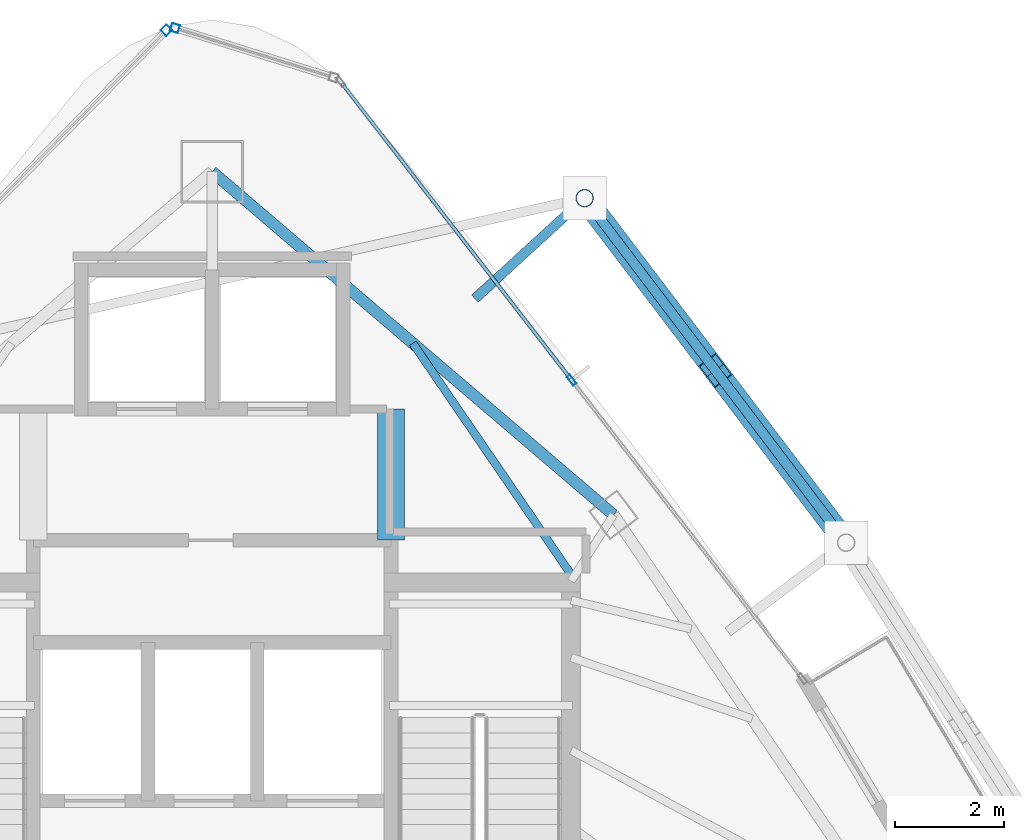
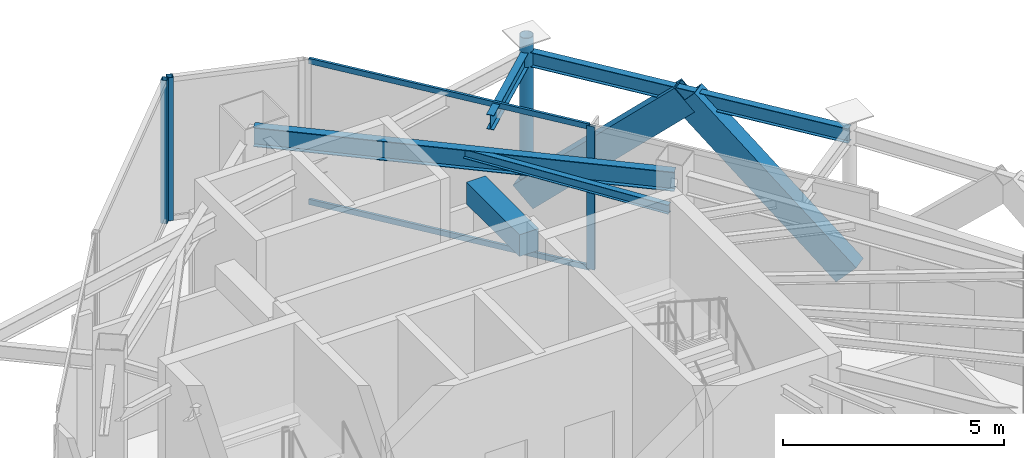
# One storey, part 17 of 22: 8 members, 5 beams, 3 elements without a shape of their own.
"""IFC4 building model written with IfcOpenShell, lengths in metres."""

import ifcopenshell
import ifcopenshell.guid

model = None  # the IFC model being written
_history = None  # IfcOwnerHistory: only IFC2X3 demands one
_inside = {}  # id of a spatial element -> (the spatial element, [elements in it])
_under = {}  # id of a project, library or spatial element -> (it, [spatial elements below it])
_declared = {}  # id of a project -> (the project, [libraries it declares])
_typed = {}  # id of a type object -> (the type object, [elements of that type])
_made_of = {}  # id of a material, layer set ... -> (it, [elements and type objects made of it])


def new_model(schema):
    """Start an empty IFC model of exactly this schema.

    Asked for "IFC4X3", IfcOpenShell would pick the latest addendum, in which some entities
    have other attributes; the version numbers below select the first issue.
    IFC2X3 requires an IfcOwnerHistory on every rooted entity: one is made here for all.
    """
    global model, _history
    if schema == "IFC4X3":
        model = ifcopenshell.file(schema_version=(4, 3, 0, 0))
    else:
        model = ifcopenshell.file(schema=schema)
    _inside.clear()
    _under.clear()
    _declared.clear()
    _typed.clear()
    _made_of.clear()
    _history = None
    if model.schema == "IFC2X3":
        org = make("IfcOrganization", Name="unknown")
        user = make(
            "IfcPersonAndOrganization",
            ThePerson=make("IfcPerson", FamilyName="unknown"),
            TheOrganization=org,
        )
        app = make(
            "IfcApplication",
            ApplicationDeveloper=org,
            Version="unknown",
            ApplicationFullName="unknown",
            ApplicationIdentifier="unknown",
        )
        _history = make(
            "IfcOwnerHistory",
            OwningUser=user,
            OwningApplication=app,
            ChangeAction="ADDED",
            CreationDate=0,
        )
    return model


def make(cls, **values):
    """One entity of the class cls with the attributes given. An attribute that is None is left unset."""
    return model.create_entity(
        cls, **{name: value for name, value in values.items() if value is not None}
    )


def rooted(cls, **values):
    """An entity with a GlobalId (a new one), such as an element, a storey or a relation."""
    return make(cls, GlobalId=ifcopenshell.guid.new(), OwnerHistory=_history, **values)


def si_unit(unit_type, name, prefix=None):
    """IfcSIUnit, for example si_unit("LENGTHUNIT", "METRE", prefix="MILLI")."""
    return make("IfcSIUnit", UnitType=unit_type, Prefix=prefix, Name=name)


def assignment(units):
    """IfcUnitAssignment: the units of a project."""
    return None if units is None else make("IfcUnitAssignment", Units=units)


def point(xyz):
    """IfcCartesianPoint."""
    return None if xyz is None else make("IfcCartesianPoint", Coordinates=xyz)


def direction(xyz):
    """IfcDirection."""
    return None if xyz is None else make("IfcDirection", DirectionRatios=xyz)


def frame(location, z_axis=None, x_axis=None):
    """IfcAxis2Placement3D, a coordinate frame: its origin and axes. An axis left out is left unset."""
    return make(
        "IfcAxis2Placement3D",
        Location=point(location),
        Axis=direction(z_axis),
        RefDirection=direction(x_axis),
    )


def frame_2d(location, x_axis=None):
    """IfcAxis2Placement2D, a coordinate frame in the plane: its origin and x axis."""
    return make(
        "IfcAxis2Placement2D", Location=point(location), RefDirection=direction(x_axis)
    )


def origin():
    """The frame at (0, 0, 0) with its axes left unset."""
    return frame((0.0, 0.0, 0.0))


def origin_2d():
    """The frame at (0, 0) in the plane with its x axis left unset."""
    return frame_2d((0.0, 0.0))


def place(relative_to, where):
    """IfcLocalPlacement: puts the frame where relative to a parent placement (None: the world)."""
    return make(
        "IfcLocalPlacement", PlacementRelTo=relative_to, RelativePlacement=where
    )


def context(
    kind, dimensions, precision=None, world=None, true_north=None, identifier=None
):
    """IfcGeometricRepresentationContext, for example the 3D "Model" context."""
    return make(
        "IfcGeometricRepresentationContext",
        ContextIdentifier=identifier,
        ContextType=kind,
        CoordinateSpaceDimension=dimensions,
        Precision=precision,
        WorldCoordinateSystem=world,
        TrueNorth=true_north,
    )


def subcontext(parent, identifier, kind, view, scale=None):
    """IfcGeometricRepresentationSubContext, for example "Body" below "Model"."""
    return make(
        "IfcGeometricRepresentationSubContext",
        ContextIdentifier=identifier,
        ContextType=kind,
        ParentContext=parent,
        TargetScale=scale,
        TargetView=view,
    )


def project(units=None, contexts=None):
    """IfcProject with its units and contexts."""
    return rooted(
        "IfcProject",
        Name="project",
        RepresentationContexts=contexts,
        UnitsInContext=assignment(units),
    )


def spatial(cls, under=None, at=None, **own):
    """A site, building, storey or space (cls), placed at a placement, below another one or the project."""
    s = rooted(cls, ObjectPlacement=at, **own)
    if under is not None:
        _under.setdefault(under.id(), (under, []))[1].append(s)
    return s


def profile(cls, at=None, kind="AREA", **sizes):
    """A parametric profile (cls). Its sizes go by their IFC names, for example OverallWidth=200.0."""
    return make(cls, ProfileType=kind, Position=at, **sizes)


def rectangle(**sizes):
    """IfcRectangleProfileDef."""
    return profile("IfcRectangleProfileDef", **sizes)


def hollow_rectangle(**sizes):
    """IfcRectangleHollowProfileDef."""
    return profile("IfcRectangleHollowProfileDef", **sizes)


def hollow_circle(**sizes):
    """IfcCircleHollowProfileDef."""
    return profile("IfcCircleHollowProfileDef", **sizes)


def i_section(**sizes):
    """IfcIShapeProfileDef."""
    return profile("IfcIShapeProfileDef", **sizes)


def extrude(swept, where, along, depth):
    """IfcExtrudedAreaSolid: the profile swept, set in the frame where, extruded along a direction by depth."""
    return make(
        "IfcExtrudedAreaSolid",
        SweptArea=swept,
        Position=where,
        ExtrudedDirection=direction(along),
        Depth=depth,
    )


def shape(context_of_items, identifier, shape_type, items):
    """IfcShapeRepresentation: the items that make up one representation, for example the "Body"."""
    return make(
        "IfcShapeRepresentation",
        ContextOfItems=context_of_items,
        RepresentationIdentifier=identifier,
        RepresentationType=shape_type,
        Items=items,
    )


def material(Name=None, Category=None):
    """IfcMaterial."""
    return make("IfcMaterial", Name=Name, Category=Category)


def layer(
    of_material, thickness, ventilated=None, Name=None, Category=None, Priority=None
):
    """IfcMaterialLayer: one layer of a wall or slab, of a material (None: an air gap)."""
    return make(
        "IfcMaterialLayer",
        Material=of_material,
        LayerThickness=thickness,
        IsVentilated=ventilated,
        Name=Name,
        Category=Category,
        Priority=Priority,
    )


def layer_set(layers, Name=None):
    """IfcMaterialLayerSet."""
    return make("IfcMaterialLayerSet", MaterialLayers=layers, LayerSetName=Name)


def material_profile(
    of_material, cross_section, Name=None, Category=None, Priority=None
):
    """IfcMaterialProfile: a cross section and its material."""
    return make(
        "IfcMaterialProfile",
        Name=Name,
        Material=of_material,
        Profile=cross_section,
        Priority=Priority,
        Category=Category,
    )


def profile_set(profiles, Name=None, composite=None):
    """IfcMaterialProfileSet."""
    return make(
        "IfcMaterialProfileSet",
        Name=Name,
        MaterialProfiles=profiles,
        CompositeProfile=composite,
    )


def made_of(thing, what):
    """Note that an element or type object is made of a material, layer set ...; save() writes the relation."""
    if what is not None:
        _made_of.setdefault(what.id(), (what, []))[1].append(thing)
    return thing


def type_object(cls, material=None, **own):
    """A type object (cls), such as IfcWallType, which elements share."""
    return made_of(rooted(cls, **own), material)


def element(
    cls,
    number,
    at=None,
    inside=None,
    cuts=None,
    type_object=None,
    material=None,
    context=None,
    identifier="Body",
    shape_type=None,
    held_by="IfcProductDefinitionShape",
    body=None,
    shapes=None,
    **own,
):
    """One element of the class cls, such as IfcWall. Its Tag is "e" and its number.

    at: its placement. inside: the storey or other place that contains it. cuts: it is an
    opening in that element (IfcRelVoidsElement). A single representation is given by context,
    identifier, shape_type and body (its items); several are given by shapes. held_by: the class
    of the entity that holds the representations. save() writes the other relations.
    """
    e = rooted(cls, Tag="e%d" % number, ObjectPlacement=at, **own)
    if body is not None:
        shapes = [shape(context, identifier, shape_type, body)]
    if shapes is not None:
        e.Representation = make(held_by, Representations=shapes)
    if inside is not None:
        _inside.setdefault(inside.id(), (inside, []))[1].append(e)
    if cuts is not None:
        rooted(
            "IfcRelVoidsElement", RelatingBuildingElement=cuts, RelatedOpeningElement=e
        )
    if type_object is not None:
        _typed.setdefault(type_object.id(), (type_object, []))[1].append(e)
    return made_of(e, material)


def aggregate(whole, parts):
    """IfcRelAggregates: a whole, such as a stair, and the parts it consists of."""
    return rooted("IfcRelAggregates", RelatingObject=whole, RelatedObjects=parts)


def save(model, path):
    """Write the relations noted so far, then the file.

    IfcRelAggregates (storeys below a building ...), IfcRelContainedInSpatialStructure (elements
    in a storey), IfcRelDefinesByType, IfcRelAssociatesMaterial and IfcRelDeclares: one each for
    every whole, place, type object, material and project.
    """
    for whole, parts in _under.values():
        aggregate(whole, parts)
    for where, things in _inside.values():
        rooted(
            "IfcRelContainedInSpatialStructure",
            RelatedElements=things,
            RelatingStructure=where,
        )
    for kind, things in _typed.values():
        rooted("IfcRelDefinesByType", RelatedObjects=things, RelatingType=kind)
    for what, things in _made_of.values():
        rooted("IfcRelAssociatesMaterial", RelatedObjects=things, RelatingMaterial=what)
    for by, libraries in _declared.values():
        rooted("IfcRelDeclares", RelatingContext=by, RelatedDefinitions=libraries)
    model.write(path)


model = new_model("IFC4")

# Units and contexts
model_context = context("Model", 3, precision=1e-05, world=origin(), true_north=direction((0.0, 1.0)))
body_context = subcontext(model_context, "Body", "Model", "MODEL_VIEW")
ifc_project = project(units=[si_unit("LENGTHUNIT", "METRE"), si_unit("AREAUNIT", "SQUARE_METRE"), si_unit("VOLUMEUNIT", "CUBIC_METRE"), si_unit("PLANEANGLEUNIT", "RADIAN"), si_unit("MASSUNIT", "GRAM", prefix="KILO")], contexts=[model_context])

# Site, building, storey
site_placement = place(None, origin())
site = spatial("IfcSite", under=ifc_project, at=site_placement, CompositionType="ELEMENT")
building_placement = place(site_placement, origin())
building = spatial("IfcBuilding", under=site, at=building_placement, Name="Orvanel Arch Residences", CompositionType="ELEMENT")
storey_placement = place(building_placement, frame((0.0, 0.0, 276.64990234375)))
storey = spatial("IfcBuildingStorey", under=building, at=storey_placement, Name="L79", CompositionType="ELEMENT", Elevation=276.64990234375)

# Beam
ifc_material_1 = material(Name="Structural steel AS/NZS 3679.1 Grade 300 (300 MPa)", Category="steel")
ifc_material_profile_1 = material_profile(ifc_material_1, i_section(OverallWidth=0.14599609375, OverallDepth=0.251953125, WebThickness=0.006103515625, FlangeThickness=0.008544921875, at=origin_2d()), Name="250UB31.4")
ifc_profile_set_1 = profile_set([ifc_material_profile_1], Name="Structural steel AS/NZS 3679.1 Grade 300 (300 MPa)")
beam_type_1 = type_object("IfcBeamType", Name="BJ-250UB", PredefinedType="JOIST", material=ifc_profile_set_1)
beam_1_placement = place(storey_placement, frame((39.574951171875, 34.02001953125, 3.82421875), z_axis=(-0.564868085352, 0.825181220188, 0.0), x_axis=(-0.825181220188, -0.564868085352, 0.0)))
element("IfcBeam", 1, at=beam_1_placement, inside=storey, type_object=beam_type_1, Name="L79 NNE2 Wing Floor Joist", PredefinedType="JOIST", context=body_context, shape_type="SweptSolid", body=[
    extrude(i_section(OverallWidth=0.14599609375, OverallDepth=0.251953125, WebThickness=0.006103515625, FlangeThickness=0.008544921875, at=origin_2d()), origin(), (0.0, 0.0, 1.0), 5.132080078125),
])

# Members
ifc_material_2 = material(Name="Structural steel AS/NZS 3678 Grade 350", Category="steel")
ifc_material_profile_2 = material_profile(ifc_material_2, hollow_rectangle(XDim=0.419921875, YDim=0.719970703125, WallThickness=0.02490234375, at=origin_2d()), Name="RHS720x420x25")
ifc_profile_set_2 = profile_set([ifc_material_profile_2], Name="Structural steel AS/NZS 3678 Grade 350")
member_type_1 = type_object("IfcMemberType", Name="BR-720RHS-EXT", PredefinedType="BRACE", material=ifc_profile_set_2)
for number, where, z_axis, x_axis, name in (
    (2, (44.613037109375, 34.60302734375, 0.0), (-0.439243447697, 0.578628244097, 0.687207791565), (-0.796502932956, -0.604634664729, 0.0), "L79 Exterior Sky-Garden V-Frame Chevron F3B3.1"),
    (3, (39.822998046875, 40.9130859375, 0.0), (0.439243447697, -0.578628244097, 0.687207791565), (0.796502932956, 0.604634664729, 0.0), "L79 Exterior Sky-Garden V-Frame Chevron F3B3.2"),
):
    element("IfcMember", number, at=place(storey_placement, frame(where, z_axis=z_axis, x_axis=x_axis)), inside=storey, type_object=member_type_1, Name=name, PredefinedType="BRACE", context=body_context, shape_type="SweptSolid", body=[
        extrude(hollow_rectangle(XDim=0.419921875, YDim=0.719970703125, WallThickness=0.02490234375, at=origin_2d()), origin(), (0.0, 0.0, 1.0), 5.45263671875),
    ])

# Beam
ifc_material_3 = material(Name="Concrete S65 (65 MPa)", Category="concrete")
ifc_material_profile_3 = material_profile(ifc_material_3, rectangle(XDim=0.5, YDim=0.60009765625, at=origin_2d()), Name="RC500x600")
ifc_profile_set_3 = profile_set([ifc_material_profile_3], Name="Concrete S65 (65 MPa)")
beam_type_2 = type_object("IfcBeamType", Name="CB-500x600", PredefinedType="LINTEL", material=ifc_profile_set_3)
beam_2_placement = place(storey_placement, frame((36.27490234375, 34.64990234375, 3.650146484375), z_axis=(0.0, 1.0, 0.0), x_axis=(-1.0, 0.0, 0.0)))
element("IfcBeam", 4, at=beam_2_placement, inside=storey, type_object=beam_type_2, Name="L79 East Core Lobby Coupling Lintel Beam", PredefinedType="LINTEL", context=body_context, shape_type="SweptSolid", body=[
    extrude(rectangle(XDim=0.5, YDim=0.60009765625, at=origin_2d()), origin(), (0.0, 0.0, 1.0), 2.400146484375),
])

# Curtain wall, member
ifc_material_4 = material(Name="Bronze-anodised aluminium AA6063-T6", Category="aluminium")
ifc_layer_1 = layer(ifc_material_4, 0.18994140625)
ifc_layer_set_1 = layer_set([ifc_layer_1], Name="Bronze-anodised aluminium AA6063-T6")
curtain_wall_type_1 = type_object("IfcCurtainWallType", Name="CW5-CRN-SYS", PredefinedType="NOTDEFINED", material=ifc_layer_set_1)
curtain_wall_1_placement = place(storey_placement, origin())
curtain_wall_1 = element("IfcCurtainWall", 5, at=curtain_wall_1_placement, inside=storey, type_object=curtain_wall_type_1, Name="L79 CW5-CRN-SYS Unitised Curtain Wall", PredefinedType="NOTDEFINED")
ifc_material_profile_4 = material_profile(ifc_material_4, hollow_rectangle(XDim=0.14990234375, YDim=0.14990234375, WallThickness=0.0048828125, at=origin_2d()), Name="ALU150x150x5")
ifc_profile_set_4 = profile_set([ifc_material_profile_4], Name="Bronze-anodised aluminium AA6063-T6")
member_type_2 = type_object("IfcMemberType", Name="MUL-150x150", PredefinedType="MULLION", material=ifc_profile_set_4)
member_1_placement = place(storey_placement, frame((32.318603515625, 44.02783203125, 0.0), z_axis=(0.0, 0.0, 1.0), x_axis=(-0.297009481748, -0.954874529848, 0.0)))
member_1 = element("IfcMember", 6, at=member_1_placement, type_object=member_type_2, Name="CW-S5 mullion 2", PredefinedType="MULLION", context=body_context, shape_type="SweptSolid", body=[
    extrude(hollow_rectangle(XDim=0.14990234375, YDim=0.14990234375, WallThickness=0.0048828125, at=origin_2d()), origin(), (0.0, 0.0, 1.0), 3.9501953125),
])
aggregate(curtain_wall_1, [member_1])

curtain_wall_2_placement = place(storey_placement, origin())
curtain_wall_2 = element("IfcCurtainWall", 7, at=curtain_wall_2_placement, inside=storey, type_object=curtain_wall_type_1, Name="L79 CW5-CRN-SYS Unitised Curtain Wall", PredefinedType="NOTDEFINED")
member_2_placement = place(storey_placement, frame((32.161376953125, 43.988525390625, 0.0), z_axis=(0.0, 0.0, 1.0), x_axis=(0.712186654188, -0.701990149216, 0.0)))
member_2 = element("IfcMember", 8, at=member_2_placement, type_object=member_type_2, Name="CW-S5 mullion 1", PredefinedType="MULLION", context=body_context, shape_type="SweptSolid", body=[
    extrude(hollow_rectangle(XDim=0.14990234375, YDim=0.14990234375, WallThickness=0.0048828125, at=origin_2d()), origin(), (0.0, 0.0, 1.0), 3.9501953125),
])
aggregate(curtain_wall_2, [member_2])

ifc_layer_2 = layer(ifc_material_4, 0.195068359375)
ifc_layer_set_2 = layer_set([ifc_layer_2], Name="Bronze-anodised aluminium AA6063-T6")
curtain_wall_type_2 = type_object("IfcCurtainWallType", Name="CW6-COM-SYS", PredefinedType="NOTDEFINED", material=ifc_layer_set_2)
curtain_wall_3_placement = place(storey_placement, origin())
curtain_wall_3 = element("IfcCurtainWall", 9, at=curtain_wall_3_placement, inside=storey, type_object=curtain_wall_type_2, Name="L79 CW6-COM-SYS Unitised Curtain Wall", PredefinedType="NOTDEFINED")
ifc_material_profile_5 = material_profile(ifc_material_4, hollow_rectangle(XDim=0.074951171875, YDim=0.199951171875, WallThickness=0.0048828125, at=origin_2d()), Name="ALU200x75x5")
ifc_profile_set_5 = profile_set([ifc_material_profile_5], Name="Bronze-anodised aluminium AA6063-T6")
member_type_3 = type_object("IfcMemberType", Name="MUL-200x75", PredefinedType="MULLION", material=ifc_profile_set_5)
member_3_placement = place(storey_placement, frame((39.58349609375, 37.58154296875, 0.0), z_axis=(0.0, 0.0, 1.0), x_axis=(-0.790837129948, -0.612026661099, 0.0)))
member_3 = element("IfcMember", 10, at=member_3_placement, type_object=member_type_3, Name="CW-S6 mullion 2", PredefinedType="MULLION", context=body_context, shape_type="SweptSolid", body=[
    extrude(hollow_rectangle(XDim=0.074951171875, YDim=0.199951171875, WallThickness=0.0048828125, at=origin_2d()), origin(), (0.0, 0.0, 1.0), 3.9501953125),
])

# Beams
ifc_material_profile_6 = material_profile(ifc_material_1, i_section(OverallWidth=0.177978515625, OverallDepth=0.406005859375, WebThickness=0.0078125, FlangeThickness=0.0126953125, at=origin_2d()), Name="410UB59.7")
ifc_profile_set_6 = profile_set([ifc_material_profile_6], Name="Structural steel AS/NZS 3679.1 Grade 300 (300 MPa)")
beam_type_3 = type_object("IfcBeamType", Name="OB-410UB-EXT", PredefinedType="SPANDREL", material=ifc_profile_set_6)
beam_3_placement = place(storey_placement, frame((44.613037109375, 34.60302734375, 3.7470703125), z_axis=(-0.604634664729, 0.796502932956, 0.0), x_axis=(-0.796502932956, -0.604634664729, 0.0)))
element("IfcBeam", 11, at=beam_3_placement, inside=storey, type_object=beam_type_3, Name="L79 Outer Perimeter Floor Ring Beam 11", PredefinedType="SPANDREL", context=body_context, shape_type="SweptSolid", body=[
    extrude(i_section(OverallWidth=0.177978515625, OverallDepth=0.406005859375, WebThickness=0.0078125, FlangeThickness=0.0126953125, at=origin_2d()), origin(), (0.0, 0.0, 1.0), 7.922119140625),
])
beam_4_placement = place(storey_placement, frame((37.81396484375, 39.073974609375, 3.7470703125), z_axis=(0.737611620233, 0.67522521998, 0.0), x_axis=(-0.67522521998, 0.737611620233, 0.0)))
element("IfcBeam", 12, at=beam_4_placement, inside=storey, type_object=beam_type_3, Name="L79 Outer Frame Radial Tie Beam 12", PredefinedType="SPANDREL", context=body_context, shape_type="SweptSolid", body=[
    extrude(i_section(OverallWidth=0.177978515625, OverallDepth=0.406005859375, WebThickness=0.0078125, FlangeThickness=0.0126953125, at=origin_2d()), origin(), (0.0, 0.0, 1.0), 2.7236328125),
])
ifc_material_profile_7 = material_profile(ifc_material_1, i_section(OverallWidth=0.208984375, OverallDepth=0.532958984375, WebThickness=0.01025390625, FlangeThickness=0.015625, at=origin_2d()), Name="530UB92.4")
ifc_profile_set_7 = profile_set([ifc_material_profile_7], Name="Structural steel AS/NZS 3679.1 Grade 300 (300 MPa)")
beam_type_4 = type_object("IfcBeamType", Name="SP-530UB", PredefinedType="SPANDREL", material=ifc_profile_set_7)
beam_5_placement = place(storey_placement, frame((40.35205078125, 35.113037109375, 3.68408203125), z_axis=(-0.760116518398, 0.649786794617, 0.0), x_axis=(-0.649786794617, -0.760116518398, 0.0)))
element("IfcBeam", 13, at=beam_5_placement, inside=storey, type_object=beam_type_4, Name="L79 Perimeter Spandrel Beam 09", PredefinedType="SPANDREL", context=body_context, shape_type="SweptSolid", body=[
    extrude(i_section(OverallWidth=0.208984375, OverallDepth=0.532958984375, WebThickness=0.01025390625, FlangeThickness=0.015625, at=origin_2d()), origin(), (0.0, 0.0, 1.0), 9.67236328125),
])

# Member
ifc_material_5 = material(Name="Structural steel AS/NZS 1163 C350L0 (Grade 350)", Category="steel")
ifc_material_profile_8 = material_profile(ifc_material_5, hollow_circle(Radius=0.162109375, WallThickness=0.0126953125, at=origin_2d()), Name="CHS324x12.7")
ifc_profile_set_8 = profile_set([ifc_material_profile_8], Name="Structural steel AS/NZS 1163 C350L0 (Grade 350)")
member_type_4 = type_object("IfcMemberType", Name="ST-324CHS-EXT", PredefinedType="STRUT", material=ifc_profile_set_8)
member_4_placement = place(storey_placement, frame((39.822998046875, 40.9130859375, 0.0), z_axis=(0.0, 0.0, 1.0), x_axis=(1.0, 0.0, 0.0)))
element("IfcMember", 14, at=member_4_placement, inside=storey, type_object=member_type_4, Name="L79 Outer Perimeter Frame Post 12", PredefinedType="STRUT", context=body_context, shape_type="SweptSolid", body=[
    extrude(hollow_circle(Radius=0.162109375, WallThickness=0.0126953125, at=origin_2d()), origin(), (0.0, 0.0, 1.0), 4.35009765625),
])

ifc_material_profile_9 = material_profile(ifc_material_4, hollow_rectangle(XDim=0.06494140625, YDim=0.14990234375, WallThickness=0.00390625, at=origin_2d()), Name="ALU150x65x4")
ifc_profile_set_9 = profile_set([ifc_material_profile_9], Name="Bronze-anodised aluminium AA6063-T6")
member_type_5 = type_object("IfcMemberType", Name="TRN-150x65", PredefinedType="USERDEFINED", material=ifc_profile_set_9)
member_5_placement = place(storey_placement, frame((39.560546875, 37.611083984375, 0.03271484375), z_axis=(-0.612006139735, 0.790853010948, 0.0), x_axis=(-0.790853010948, -0.612006139735, 0.0)))
member_5 = element("IfcMember", 15, at=member_5_placement, type_object=member_type_5, Name="CW-S6 transom 2.1", ObjectType="TRANSOM", PredefinedType="USERDEFINED", context=body_context, shape_type="SweptSolid", body=[
    extrude(hollow_rectangle(XDim=0.06494140625, YDim=0.14990234375, WallThickness=0.00390625, at=origin_2d()), origin(), (0.0, 0.0, 1.0), 6.839111328125),
])

member_6_placement = place(storey_placement, frame((39.560546875, 37.611083984375, 3.91748046875), z_axis=(-0.612006139735, 0.790853010948, 0.0), x_axis=(-0.790853010948, -0.612006139735, 0.0)))
member_6 = element("IfcMember", 16, at=member_6_placement, type_object=member_type_5, Name="CW-S6 transom 2.2", ObjectType="TRANSOM", PredefinedType="USERDEFINED", context=body_context, shape_type="SweptSolid", body=[
    extrude(hollow_rectangle(XDim=0.06494140625, YDim=0.14990234375, WallThickness=0.00390625, at=origin_2d()), origin(), (0.0, 0.0, 1.0), 6.839111328125),
])

aggregate(curtain_wall_3, [member_3, member_5, member_6])

save(model, "model.ifc")
